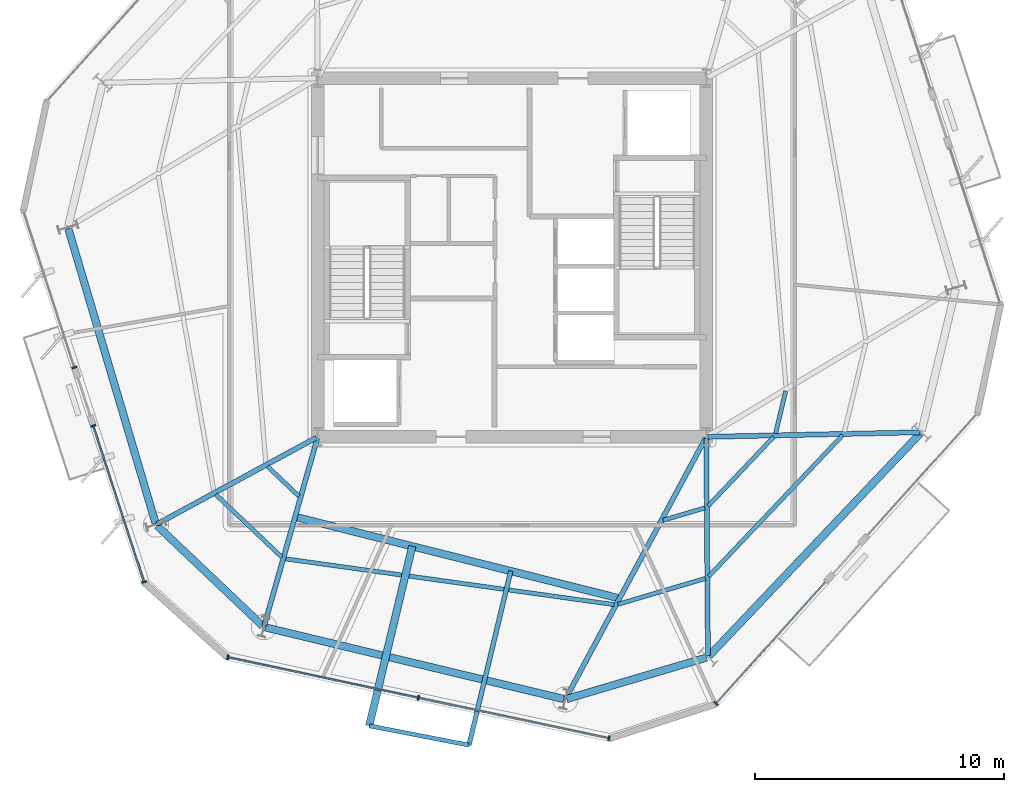
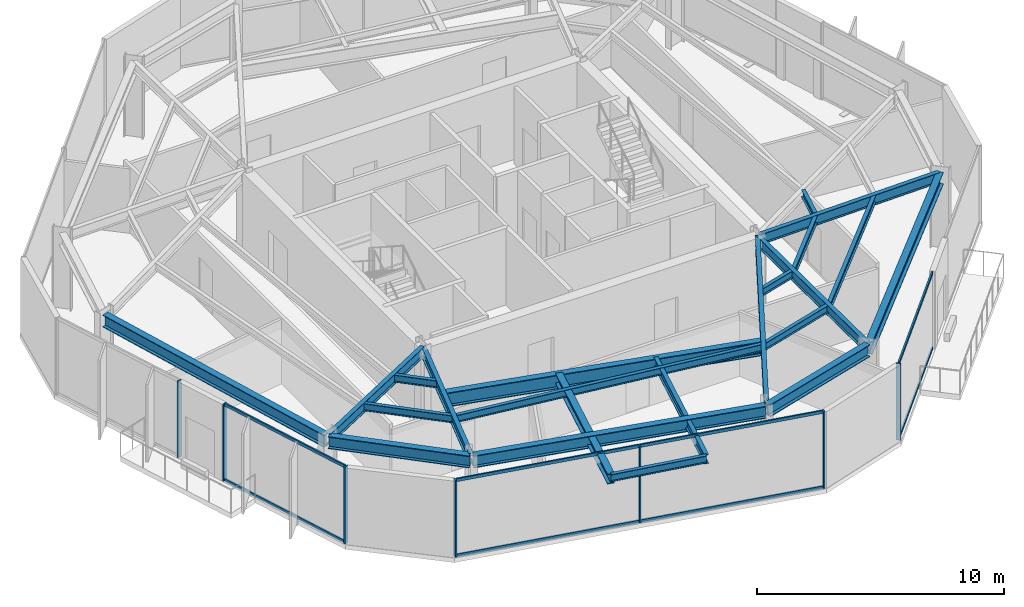
# One storey, part 2 of 11: 22 beams, 15 members, 4 elements without a shape of their own.
"""IFC4 building model written with IfcOpenShell, lengths in metres."""

from ifc_helpers import new_model, si_unit, direction, frame, origin, origin_2d, place, context, subcontext, project, spatial, rectangle, i_section, extrude, material, layer, layer_set, material_profile, profile_set, type_object, element, aggregate, save


model = new_model("IFC4")

# Units and contexts
model_context = context("Model", 3, precision=1e-05, world=origin(), true_north=direction((0.0, 1.0)))
body_context = subcontext(model_context, "Body", "Model", "MODEL_VIEW")
ifc_project = project(units=[si_unit("LENGTHUNIT", "METRE"), si_unit("AREAUNIT", "SQUARE_METRE"), si_unit("VOLUMEUNIT", "CUBIC_METRE"), si_unit("PLANEANGLEUNIT", "RADIAN"), si_unit("MASSUNIT", "GRAM", prefix="KILO")], contexts=[model_context])

# Site, building, storey
site_placement = place(None, origin())
site = spatial("IfcSite", under=ifc_project, at=site_placement, CompositionType="ELEMENT")
building_placement = place(site_placement, origin())
building = spatial("IfcBuilding", under=site, at=building_placement, Name="Kranzbogen Civic Tower", CompositionType="ELEMENT")
storey_placement = place(building_placement, frame((0.0, 0.0, 216.800048828125)))
storey = spatial("IfcBuildingStorey", under=building, at=storey_placement, Name="L52", CompositionType="ELEMENT", Elevation=216.800048828125)

# Beam
ifc_material_1 = material(Name="Steel S355", Category="steel")
ifc_material_profile_1 = material_profile(ifc_material_1, i_section(OverallWidth=0.18994140625, OverallDepth=0.449951171875, WebThickness=0.009521484375, FlangeThickness=0.0146484375, at=origin_2d()), Name="IPE 450")
ifc_profile_set_1 = profile_set([ifc_material_profile_1], Name="Steel S355")
beam_type_1 = type_object("IfcBeamType", Name="Braced Terrace Edge Beam IPE 450", PredefinedType="BEAM", material=ifc_profile_set_1)
beam_1_placement = place(storey_placement, frame((24.949951171875, 12.412109375, 3.52490234375), z_axis=(-0.233384511099, -0.972384527838, 0.0), x_axis=(0.972384527838, -0.233384511099, 0.0)))
element("IfcBeam", 1, at=beam_1_placement, inside=storey, type_object=beam_type_1, Name="L53 back-spanned terrace beam L53-TB2-2", PredefinedType="BEAM", context=body_context, shape_type="SweptSolid", body=[
    extrude(i_section(OverallWidth=0.18994140625, OverallDepth=0.449951171875, WebThickness=0.009521484375, FlangeThickness=0.0146484375, at=origin_2d()), origin(), (0.0, 0.0, 1.0), 7.189697265625),
])

# Curtain wall, member
ifc_material_2 = material(Name="Pale Anodised Aluminium", Category="aluminium")
ifc_layer = layer(ifc_material_2, 0.219970703125, Name="Pale Anodised Aluminium")
ifc_layer_set = layer_set([ifc_layer], Name="Pale Anodised Aluminium")
curtain_wall_type = type_object("IfcCurtainWallType", Name="Zone 3 Stick Curtain Wall System CW-04", PredefinedType="USERDEFINED", material=ifc_layer_set)
curtain_wall_1_placement = place(storey_placement, origin())
curtain_wall_1 = element("IfcCurtainWall", 2, at=curtain_wall_1_placement, inside=storey, type_object=curtain_wall_type, Name="L52 curtain wall CW-L52-F3-S1", ObjectType="STICK CURTAIN WALL", PredefinedType="USERDEFINED")
ifc_material_profile_2 = material_profile(ifc_material_2, rectangle(XDim=0.070068359375, YDim=0.199951171875, at=origin_2d()), Name="ALU-M 70x200")
ifc_profile_set_2 = profile_set([ifc_material_profile_2], Name="Pale Anodised Aluminium")
member_type_1 = type_object("IfcMemberType", Name="Curtain Wall Mullion ALU-M 70x200", PredefinedType="MULLION", material=ifc_profile_set_2)
member_1_placement = place(storey_placement, frame((7.4326171875, 20.58544921875, 0.0), z_axis=(0.0, 0.0, 1.0), x_axis=(0.309004509725, -0.951060572713, 0.0)))
member_1 = element("IfcMember", 3, at=member_1_placement, type_object=member_type_1, Name="CW-04 mullion 2", PredefinedType="MULLION", context=body_context, shape_type="SweptSolid", body=[
    extrude(rectangle(XDim=0.070068359375, YDim=0.199951171875, at=origin_2d()), origin(), (0.0, 0.0, 1.0), 3.780029296875),
])
aggregate(curtain_wall_1, [member_1])

# Curtain wall, members
curtain_wall_2_placement = place(storey_placement, origin())
curtain_wall_2 = element("IfcCurtainWall", 4, at=curtain_wall_2_placement, inside=storey, type_object=curtain_wall_type, Name="L52 curtain wall CW-L52-F3-S2", ObjectType="STICK CURTAIN WALL", PredefinedType="USERDEFINED")
member_2_placement = place(storey_placement, frame((8.193359375, 18.245361328125, 0.0), z_axis=(0.0, 0.0, 1.0), x_axis=(0.309004509725, -0.951060572713, 0.0)))
member_2 = element("IfcMember", 5, at=member_2_placement, type_object=member_type_1, Name="CW-04 mullion 1", PredefinedType="MULLION", context=body_context, shape_type="SweptSolid", body=[
    extrude(rectangle(XDim=0.070068359375, YDim=0.199951171875, at=origin_2d()), origin(), (0.0, 0.0, 1.0), 3.780029296875),
])
member_3_placement = place(storey_placement, frame((10.230712890625, 11.974609375, 0.0), z_axis=(0.0, 0.0, 1.0), x_axis=(0.309004509725, -0.951060572713, 0.0)))
member_3 = element("IfcMember", 6, at=member_3_placement, type_object=member_type_1, Name="CW-04 mullion 2", PredefinedType="MULLION", context=body_context, shape_type="SweptSolid", body=[
    extrude(rectangle(XDim=0.070068359375, YDim=0.199951171875, at=origin_2d()), origin(), (0.0, 0.0, 1.0), 3.780029296875),
])

curtain_wall_3_placement = place(storey_placement, origin())
curtain_wall_3 = element("IfcCurtainWall", 7, at=curtain_wall_3_placement, inside=storey, type_object=curtain_wall_type, Name="L52 curtain wall CW-L52-F4", ObjectType="STICK CURTAIN WALL", PredefinedType="USERDEFINED")
member_4_placement = place(storey_placement, frame((13.58935546875, 8.94970703125, 0.0), z_axis=(0.0, 0.0, 1.0), x_axis=(0.978146714793, -0.2079158588, 0.0)))
member_4 = element("IfcMember", 8, at=member_4_placement, type_object=member_type_1, Name="CW-04 mullion 1", PredefinedType="MULLION", context=body_context, shape_type="SweptSolid", body=[
    extrude(rectangle(XDim=0.070068359375, YDim=0.199951171875, at=origin_2d()), origin(), (0.0, 0.0, 1.0), 3.780029296875),
])
member_5_placement = place(storey_placement, frame((21.242431640625, 7.322998046875, 0.0), z_axis=(0.0, 0.0, 1.0), x_axis=(0.978146714793, -0.2079158588, 0.0)))
member_5 = element("IfcMember", 9, at=member_5_placement, type_object=member_type_1, Name="CW-04 mullion 2", PredefinedType="MULLION", context=body_context, shape_type="SweptSolid", body=[
    extrude(rectangle(XDim=0.070068359375, YDim=0.199951171875, at=origin_2d()), origin(), (0.0, 0.0, 1.0), 3.780029296875),
])
member_6_placement = place(storey_placement, frame((28.895751953125, 5.6962890625, 0.0), z_axis=(0.0, 0.0, 1.0), x_axis=(0.978146714793, -0.2079158588, 0.0)))
member_6 = element("IfcMember", 10, at=member_6_placement, type_object=member_type_1, Name="CW-04 mullion 3", PredefinedType="MULLION", context=body_context, shape_type="SweptSolid", body=[
    extrude(rectangle(XDim=0.070068359375, YDim=0.199951171875, at=origin_2d()), origin(), (0.0, 0.0, 1.0), 3.780029296875),
])

# Curtain wall, member
curtain_wall_4_placement = place(storey_placement, origin())
curtain_wall_4 = element("IfcCurtainWall", 11, at=curtain_wall_4_placement, inside=storey, type_object=curtain_wall_type, Name="L52 curtain wall CW-L52-F5-S1", ObjectType="STICK CURTAIN WALL", PredefinedType="USERDEFINED")
member_7_placement = place(storey_placement, frame((33.195068359375, 7.09326171875, 0.0), z_axis=(0.0, 0.0, 1.0), x_axis=(0.669172266974, 0.743107311977, 0.0)))
member_7 = element("IfcMember", 12, at=member_7_placement, type_object=member_type_1, Name="CW-04 mullion 1", PredefinedType="MULLION", context=body_context, shape_type="SweptSolid", body=[
    extrude(rectangle(XDim=0.070068359375, YDim=0.199951171875, at=origin_2d()), origin(), (0.0, 0.0, 1.0), 3.780029296875),
])

# Member
ifc_material_profile_3 = material_profile(ifc_material_2, rectangle(XDim=0.070068359375, YDim=0.14990234375, at=origin_2d()), Name="ALU-T 70x150")
ifc_profile_set_3 = profile_set([ifc_material_profile_3], Name="Pale Anodised Aluminium")
member_type_2 = type_object("IfcMemberType", Name="Curtain Wall Transom ALU-T 70x150", PredefinedType="USERDEFINED", material=ifc_profile_set_3)
member_8_placement = place(storey_placement, frame((8.20263671875, 18.217041015625, 0.030029296875), z_axis=(0.308988058786, -0.951065917551, 0.0), x_axis=(0.951065917551, 0.308988058786, 0.0)))
member_8 = element("IfcMember", 13, at=member_8_placement, type_object=member_type_2, Name="CW-04 transom 1.1", ObjectType="TRANSOM", PredefinedType="USERDEFINED", context=body_context, shape_type="SweptSolid", body=[
    extrude(rectangle(XDim=0.070068359375, YDim=0.14990234375, at=origin_2d()), origin(), (0.0, 0.0, 1.0), 6.53369140625),
])

member_9_placement = place(storey_placement, frame((8.20263671875, 18.217041015625, 3.75), z_axis=(0.308988058786, -0.951065917551, 0.0), x_axis=(0.951065917551, 0.308988058786, 0.0)))
member_9 = element("IfcMember", 14, at=member_9_placement, type_object=member_type_2, Name="CW-04 transom 1.2", ObjectType="TRANSOM", PredefinedType="USERDEFINED", context=body_context, shape_type="SweptSolid", body=[
    extrude(rectangle(XDim=0.070068359375, YDim=0.14990234375, at=origin_2d()), origin(), (0.0, 0.0, 1.0), 6.53369140625),
])

aggregate(curtain_wall_2, [member_2, member_3, member_8, member_9])

member_10_placement = place(storey_placement, frame((13.61865234375, 8.943603515625, 0.030029296875), z_axis=(0.978147581318, -0.207911782161, 0.0), x_axis=(0.207911782161, 0.978147581318, 0.0)))
member_10 = element("IfcMember", 15, at=member_10_placement, type_object=member_type_2, Name="CW-04 transom 1.1", ObjectType="TRANSOM", PredefinedType="USERDEFINED", context=body_context, shape_type="SweptSolid", body=[
    extrude(rectangle(XDim=0.070068359375, YDim=0.14990234375, at=origin_2d()), origin(), (0.0, 0.0, 1.0), 7.76416015625),
])

member_11_placement = place(storey_placement, frame((13.61865234375, 8.943603515625, 3.75), z_axis=(0.978147581318, -0.207911782161, 0.0), x_axis=(0.207911782161, 0.978147581318, 0.0)))
member_11 = element("IfcMember", 16, at=member_11_placement, type_object=member_type_2, Name="CW-04 transom 1.2", ObjectType="TRANSOM", PredefinedType="USERDEFINED", context=body_context, shape_type="SweptSolid", body=[
    extrude(rectangle(XDim=0.070068359375, YDim=0.14990234375, at=origin_2d()), origin(), (0.0, 0.0, 1.0), 7.76416015625),
])

member_12_placement = place(storey_placement, frame((21.271728515625, 7.316650390625, 0.030029296875), z_axis=(0.978147581318, -0.207911782161, 0.0), x_axis=(0.207911782161, 0.978147581318, 0.0)))
member_12 = element("IfcMember", 17, at=member_12_placement, type_object=member_type_2, Name="CW-04 transom 2.1", ObjectType="TRANSOM", PredefinedType="USERDEFINED", context=body_context, shape_type="SweptSolid", body=[
    extrude(rectangle(XDim=0.070068359375, YDim=0.14990234375, at=origin_2d()), origin(), (0.0, 0.0, 1.0), 7.76416015625),
])

member_13_placement = place(storey_placement, frame((21.271728515625, 7.316650390625, 3.75), z_axis=(0.978147581318, -0.207911782161, 0.0), x_axis=(0.207911782161, 0.978147581318, 0.0)))
member_13 = element("IfcMember", 18, at=member_13_placement, type_object=member_type_2, Name="CW-04 transom 2.2", ObjectType="TRANSOM", PredefinedType="USERDEFINED", context=body_context, shape_type="SweptSolid", body=[
    extrude(rectangle(XDim=0.070068359375, YDim=0.14990234375, at=origin_2d()), origin(), (0.0, 0.0, 1.0), 7.76416015625),
])

aggregate(curtain_wall_3, [member_4, member_5, member_6, member_10, member_11, member_12, member_13])

member_14_placement = place(storey_placement, frame((33.215087890625, 7.115478515625, 0.030029296875), z_axis=(0.669171119652, 0.743108345144, 0.0), x_axis=(-0.743108345144, 0.669171119652, 0.0)))
member_14 = element("IfcMember", 19, at=member_14_placement, type_object=member_type_2, Name="CW-04 transom 1.1", ObjectType="TRANSOM", PredefinedType="USERDEFINED", context=body_context, shape_type="SweptSolid", body=[
    extrude(rectangle(XDim=0.070068359375, YDim=0.14990234375, at=origin_2d()), origin(), (0.0, 0.0, 1.0), 6.53466796875),
])

member_15_placement = place(storey_placement, frame((33.215087890625, 7.115478515625, 3.75), z_axis=(0.669171119652, 0.743108345144, 0.0), x_axis=(-0.743108345144, 0.669171119652, 0.0)))
member_15 = element("IfcMember", 20, at=member_15_placement, type_object=member_type_2, Name="CW-04 transom 1.2", ObjectType="TRANSOM", PredefinedType="USERDEFINED", context=body_context, shape_type="SweptSolid", body=[
    extrude(rectangle(XDim=0.070068359375, YDim=0.14990234375, at=origin_2d()), origin(), (0.0, 0.0, 1.0), 6.53466796875),
])

aggregate(curtain_wall_4, [member_7, member_14, member_15])

# Beams
ifc_material_profile_4 = material_profile(ifc_material_1, i_section(OverallWidth=0.300048828125, OverallDepth=0.5, WebThickness=0.014404296875, FlangeThickness=0.028076171875, at=origin_2d()), Name="HEB 500")
ifc_profile_set_4 = profile_set([ifc_material_profile_4], Name="Steel S355")
beam_type_2 = type_object("IfcBeamType", Name="Perimeter Tube Spandrel Beam HEB 500", PredefinedType="SPANDREL", material=ifc_profile_set_4)
beam_2_placement = place(storey_placement, frame((20.9970703125, 13.406982421875, 3.5), z_axis=(-0.233380426468, -0.972385508192, 0.0), x_axis=(0.972385508192, -0.233380426468, 0.0)))
element("IfcBeam", 21, at=beam_2_placement, inside=storey, type_object=beam_type_2, Name="L53 back-spanned terrace beam L53-TB2-1", PredefinedType="SPANDREL", context=body_context, shape_type="SweptSolid", body=[
    extrude(i_section(OverallWidth=0.300048828125, OverallDepth=0.5, WebThickness=0.014404296875, FlangeThickness=0.028076171875, at=origin_2d()), origin(), (0.0, 0.0, 1.0), 7.41259765625),
])
ifc_material_profile_5 = material_profile(ifc_material_1, i_section(OverallWidth=0.300048828125, OverallDepth=0.60009765625, WebThickness=0.015380859375, FlangeThickness=0.030029296875, at=origin_2d()), Name="HEB 600")
ifc_profile_set_5 = profile_set([ifc_material_profile_5], Name="Steel S355")
beam_type_3 = type_object("IfcBeamType", Name="Perimeter Tube Spandrel Beam HEB 600", PredefinedType="SPANDREL", material=ifc_profile_set_5)
beam_3_placement = place(storey_placement, frame((10.7509765625, 14.235107421875, 3.47998046875), z_axis=(0.725245206788, -0.688490660816, 0.0), x_axis=(0.688490660816, 0.725245206788, 0.0)))
element("IfcBeam", 22, at=beam_3_placement, inside=storey, type_object=beam_type_3, Name="L52 perimeter spandrel beam 01", PredefinedType="SPANDREL", context=body_context, shape_type="SweptSolid", body=[
    extrude(i_section(OverallWidth=0.300048828125, OverallDepth=0.60009765625, WebThickness=0.015380859375, FlangeThickness=0.030029296875, at=origin_2d()), origin(), (0.0, 0.0, 1.0), 5.85205078125),
])
beam_4_placement = place(storey_placement, frame((15.096923828125, 10.15087890625, 3.47998046875), z_axis=(0.972377592092, -0.233413406637, 0.0), x_axis=(0.233413406637, 0.972377592092, 0.0)))
element("IfcBeam", 23, at=beam_4_placement, inside=storey, type_object=beam_type_3, Name="L52 perimeter spandrel beam 02", PredefinedType="SPANDREL", context=body_context, shape_type="SweptSolid", body=[
    extrude(i_section(OverallWidth=0.300048828125, OverallDepth=0.60009765625, WebThickness=0.015380859375, FlangeThickness=0.030029296875, at=origin_2d()), origin(), (0.0, 0.0, 1.0), 12.32568359375),
])
beam_5_placement = place(storey_placement, frame((27.197998046875, 7.277099609375, 3.47998046875), z_axis=(0.9588296723, 0.283981794341, 0.0), x_axis=(-0.283981794341, 0.9588296723, 0.0)))
element("IfcBeam", 24, at=beam_5_placement, inside=storey, type_object=beam_type_3, Name="L52 perimeter spandrel beam 03", PredefinedType="SPANDREL", context=body_context, shape_type="SweptSolid", body=[
    extrude(i_section(OverallWidth=0.300048828125, OverallDepth=0.60009765625, WebThickness=0.015380859375, FlangeThickness=0.030029296875, at=origin_2d()), origin(), (0.0, 0.0, 1.0), 5.85205078125),
])
beam_6_placement = place(storey_placement, frame((32.907958984375, 9.0, 3.47998046875), z_axis=(0.688373497874, 0.725356414065, 0.0), x_axis=(-0.725356414065, 0.688373497874, 0.0)))
element("IfcBeam", 25, at=beam_6_placement, inside=storey, type_object=beam_type_3, Name="L52 perimeter spandrel beam 04", PredefinedType="SPANDREL", context=body_context, shape_type="SweptSolid", body=[
    extrude(i_section(OverallWidth=0.300048828125, OverallDepth=0.60009765625, WebThickness=0.015380859375, FlangeThickness=0.030029296875, at=origin_2d()), origin(), (0.0, 0.0, 1.0), 12.324951171875),
])
beam_7_placement = place(storey_placement, frame((7.18896484375, 26.15087890625, 3.47998046875), z_axis=(0.284064048956, -0.958805306666, 0.0), x_axis=(0.958805306666, 0.284064048956, 0.0)))
element("IfcBeam", 26, at=beam_7_placement, inside=storey, type_object=beam_type_3, Name="L52 perimeter spandrel beam 12", PredefinedType="SPANDREL", context=body_context, shape_type="SweptSolid", body=[
    extrude(i_section(OverallWidth=0.300048828125, OverallDepth=0.60009765625, WebThickness=0.015380859375, FlangeThickness=0.030029296875, at=origin_2d()), origin(), (0.0, 0.0, 1.0), 12.32470703125),
])
ifc_material_profile_6 = material_profile(ifc_material_1, i_section(OverallWidth=0.300048828125, OverallDepth=0.699951171875, WebThickness=0.01708984375, FlangeThickness=0.031982421875, at=origin_2d()), Name="HEB 700")
ifc_profile_set_6 = profile_set([ifc_material_profile_6], Name="Steel S355")
beam_type_4 = type_object("IfcBeamType", Name="Perimeter Tube Spandrel Beam HEB 700", PredefinedType="SPANDREL", material=ifc_profile_set_6)
beam_8_placement = place(storey_placement, frame((16.2919921875, 14.591064453125, 3.39990234375), z_axis=(0.969754167823, -0.244083702834, 0.0), x_axis=(0.244083702834, 0.969754167823, 0.0)))
element("IfcBeam", 27, at=beam_8_placement, inside=storey, type_object=beam_type_4, Name="L53 balcony back-span header girder L53-TB2", PredefinedType="SPANDREL", context=body_context, shape_type="SweptSolid", body=[
    extrude(i_section(OverallWidth=0.300048828125, OverallDepth=0.699951171875, WebThickness=0.01708984375, FlangeThickness=0.031982421875, at=origin_2d()), origin(), (0.0, 0.0, 1.0), 13.43017578125),
])
ifc_material_profile_7 = material_profile(ifc_material_1, i_section(OverallWidth=0.199951171875, OverallDepth=0.5, WebThickness=0.01025390625, FlangeThickness=0.01611328125, at=origin_2d()), Name="IPE 500")
ifc_profile_set_7 = profile_set([ifc_material_profile_7], Name="Steel S355")
beam_type_5 = type_object("IfcBeamType", Name="Radial Tower Floor Girder IPE 500", PredefinedType="BEAM", material=ifc_profile_set_7)
beam_9_placement = place(storey_placement, frame((10.760009765625, 14.304931640625, 3.530029296875), z_axis=(0.878919430102, 0.476970266777, 0.0), x_axis=(-0.476970266777, 0.878919430102, 0.0)))
element("IfcBeam", 28, at=beam_9_placement, inside=storey, type_object=beam_type_5, Name="L52 radial floor girder 01", PredefinedType="BEAM", context=body_context, shape_type="SweptSolid", body=[
    extrude(i_section(OverallWidth=0.199951171875, OverallDepth=0.5, WebThickness=0.01025390625, FlangeThickness=0.01611328125, at=origin_2d()), origin(), (0.0, 0.0, 1.0), 7.266845703125),
])
beam_10_placement = place(storey_placement, frame((15.054931640625, 10.222900390625, 3.530029296875), z_axis=(0.272455078988, 0.962168503919, 0.0), x_axis=(-0.962168503919, 0.272455078988, 0.0)))
element("IfcBeam", 29, at=beam_10_placement, inside=storey, type_object=beam_type_5, Name="L52 radial floor girder 02", PredefinedType="BEAM", context=body_context, shape_type="SweptSolid", body=[
    extrude(i_section(OverallWidth=0.199951171875, OverallDepth=0.5, WebThickness=0.01025390625, FlangeThickness=0.01611328125, at=origin_2d()), origin(), (0.0, 0.0, 1.0), 7.814697265625),
])
beam_11_placement = place(storey_placement, frame((27.16796875, 7.31298828125, 3.530029296875), z_axis=(0.473160413549, 0.880976289721, 0.0), x_axis=(-0.880976289721, 0.473160413549, 0.0)))
element("IfcBeam", 30, at=beam_11_placement, inside=storey, type_object=beam_type_5, Name="L52 radial floor girder 03", PredefinedType="BEAM", context=body_context, shape_type="SweptSolid", body=[
    extrude(i_section(OverallWidth=0.199951171875, OverallDepth=0.5, WebThickness=0.01025390625, FlangeThickness=0.01611328125, at=origin_2d()), origin(), (0.0, 0.0, 1.0), 11.84375),
])
beam_12_placement = place(storey_placement, frame((32.866943359375, 9.01611328125, 3.530029296875), z_axis=(-0.007667756557, 0.999970602323, 0.0), x_axis=(-0.999970602323, -0.007667756557, 0.0)))
element("IfcBeam", 31, at=beam_12_placement, inside=storey, type_object=beam_type_5, Name="L52 radial floor girder 04", PredefinedType="BEAM", context=body_context, shape_type="SweptSolid", body=[
    extrude(i_section(OverallWidth=0.199951171875, OverallDepth=0.5, WebThickness=0.01025390625, FlangeThickness=0.01611328125, at=origin_2d()), origin(), (0.0, 0.0, 1.0), 8.72412109375),
])
beam_13_placement = place(storey_placement, frame((41.373046875, 17.98291015625, 3.530029296875), z_axis=(-0.99977183191, -0.021360808018, 0.0), x_axis=(0.021360808018, -0.99977183191, 0.0)))
element("IfcBeam", 32, at=beam_13_placement, inside=storey, type_object=beam_type_5, Name="L52 radial floor girder 05", PredefinedType="BEAM", context=body_context, shape_type="SweptSolid", body=[
    extrude(i_section(OverallWidth=0.199951171875, OverallDepth=0.5, WebThickness=0.01025390625, FlangeThickness=0.01611328125, at=origin_2d()), origin(), (0.0, 0.0, 1.0), 8.514892578125),
])
ifc_material_profile_8 = material_profile(ifc_material_1, i_section(OverallWidth=0.169921875, OverallDepth=0.360107421875, WebThickness=0.008056640625, FlangeThickness=0.0126953125, at=origin_2d()), Name="IPE 360")
ifc_profile_set_8 = profile_set([ifc_material_profile_8], Name="Steel S355")
beam_type_6 = type_object("IfcBeamType", Name="Secondary Composite Floor Joist IPE 360", PredefinedType="JOIST", material=ifc_profile_set_8)
beam_14_placement = place(storey_placement, frame((13.10302734375, 15.489990234375, 3.599853515625), z_axis=(0.725300648604, -0.688432254572, 0.0), x_axis=(0.688432254572, 0.725300648604, 0.0)))
element("IfcBeam", 33, at=beam_14_placement, inside=storey, type_object=beam_type_6, Name="L52 secondary floor joist 1.01", PredefinedType="JOIST", context=body_context, shape_type="SweptSolid", body=[
    extrude(i_section(OverallWidth=0.169921875, OverallDepth=0.360107421875, WebThickness=0.008056640625, FlangeThickness=0.0126953125, at=origin_2d()), origin(), (0.0, 0.0, 1.0), 3.661865234375),
])
beam_15_placement = place(storey_placement, frame((15.179931640625, 16.616943359375, 3.599853515625), z_axis=(0.725479767774, -0.688243493649, 0.0), x_axis=(0.688243493649, 0.725479767774, 0.0)))
element("IfcBeam", 34, at=beam_15_placement, inside=storey, type_object=beam_type_6, Name="L52 secondary floor joist 2.01", PredefinedType="JOIST", context=body_context, shape_type="SweptSolid", body=[
    extrude(i_section(OverallWidth=0.169921875, OverallDepth=0.360107421875, WebThickness=0.008056640625, FlangeThickness=0.0126953125, at=origin_2d()), origin(), (0.0, 0.0, 1.0), 1.75048828125),
])
beam_16_placement = place(storey_placement, frame((15.89599609375, 12.903076171875, 3.599853515625), z_axis=(0.990445837232, -0.137902296968, 0.0), x_axis=(0.137902296968, 0.990445837232, 0.0)))
element("IfcBeam", 35, at=beam_16_placement, inside=storey, type_object=beam_type_6, Name="L52 secondary floor joist 1.02", PredefinedType="JOIST", context=body_context, shape_type="SweptSolid", body=[
    extrude(i_section(OverallWidth=0.169921875, OverallDepth=0.360107421875, WebThickness=0.008056640625, FlangeThickness=0.0126953125, at=origin_2d()), origin(), (0.0, 0.0, 1.0), 13.329345703125),
])
beam_17_placement = place(storey_placement, frame((29.25390625, 11.076904296875, 3.599853515625), z_axis=(0.958843823165, 0.283934011309, 0.0), x_axis=(-0.283934011309, 0.958843823165, 0.0)))
element("IfcBeam", 36, at=beam_17_placement, inside=storey, type_object=beam_type_6, Name="L52 secondary floor joist 1.03", PredefinedType="JOIST", context=body_context, shape_type="SweptSolid", body=[
    extrude(i_section(OverallWidth=0.169921875, OverallDepth=0.360107421875, WebThickness=0.008056640625, FlangeThickness=0.0126953125, at=origin_2d()), origin(), (0.0, 0.0, 1.0), 3.662841796875),
])
beam_18_placement = place(storey_placement, frame((31.06591796875, 14.449951171875, 3.599853515625), z_axis=(0.958871214757, 0.283841493638, 0.0), x_axis=(-0.283841493638, 0.958871214757, 0.0)))
element("IfcBeam", 37, at=beam_18_placement, inside=storey, type_object=beam_type_6, Name="L52 secondary floor joist 2.03", PredefinedType="JOIST", context=body_context, shape_type="SweptSolid", body=[
    extrude(i_section(OverallWidth=0.169921875, OverallDepth=0.360107421875, WebThickness=0.008056640625, FlangeThickness=0.0126953125, at=origin_2d()), origin(), (0.0, 0.0, 1.0), 1.751220703125),
])
beam_19_placement = place(storey_placement, frame((32.89794921875, 12.197998046875, 3.599853515625), z_axis=(0.688282381634, 0.725442873789, 0.0), x_axis=(-0.725442873789, 0.688282381634, 0.0)))
element("IfcBeam", 38, at=beam_19_placement, inside=storey, type_object=beam_type_6, Name="L52 secondary floor joist 1.04", PredefinedType="JOIST", context=body_context, shape_type="SweptSolid", body=[
    extrude(i_section(OverallWidth=0.169921875, OverallDepth=0.360107421875, WebThickness=0.008056640625, FlangeThickness=0.0126953125, at=origin_2d()), origin(), (0.0, 0.0, 1.0), 7.804931640625),
])
beam_20_placement = place(storey_placement, frame((32.876953125, 15.028076171875, 3.599853515625), z_axis=(0.688175084876, 0.725544659243, 0.0), x_axis=(-0.725544659243, 0.688175084876, 0.0)))
element("IfcBeam", 39, at=beam_20_placement, inside=storey, type_object=beam_type_6, Name="L52 secondary floor joist 2.04", PredefinedType="JOIST", context=body_context, shape_type="SweptSolid", body=[
    extrude(i_section(OverallWidth=0.169921875, OverallDepth=0.360107421875, WebThickness=0.008056640625, FlangeThickness=0.0126953125, at=origin_2d()), origin(), (0.0, 0.0, 1.0), 3.82177734375),
])
beam_21_placement = place(storey_placement, frame((35.5810546875, 17.93701171875, 3.599853515625), z_axis=(0.233631438607, 0.972325228972, 0.0), x_axis=(-0.972325228972, 0.233631438607, 0.0)))
element("IfcBeam", 40, at=beam_21_placement, inside=storey, type_object=beam_type_6, Name="L52 secondary floor joist 2.05", PredefinedType="JOIST", context=body_context, shape_type="SweptSolid", body=[
    extrude(i_section(OverallWidth=0.169921875, OverallDepth=0.360107421875, WebThickness=0.008056640625, FlangeThickness=0.0126953125, at=origin_2d()), origin(), (0.0, 0.0, 1.0), 1.750244140625),
])
beam_22_placement = place(storey_placement, frame((19.26708984375, 6.198974609375, 3.570068359375), z_axis=(0.981645276291, -0.190715892193, 0.0), x_axis=(0.190715892193, 0.981645276291, 0.0)))
element("IfcBeam", 41, at=beam_22_placement, inside=storey, type_object=beam_type_6, Name="L53 terrace outer edge trimmer L53-TB2", PredefinedType="JOIST", context=body_context, shape_type="SweptSolid", body=[
    extrude(i_section(OverallWidth=0.169921875, OverallDepth=0.360107421875, WebThickness=0.008056640625, FlangeThickness=0.0126953125, at=origin_2d()), origin(), (0.0, 0.0, 1.0), 4.079833984375),
])

save(model, "model.ifc")
